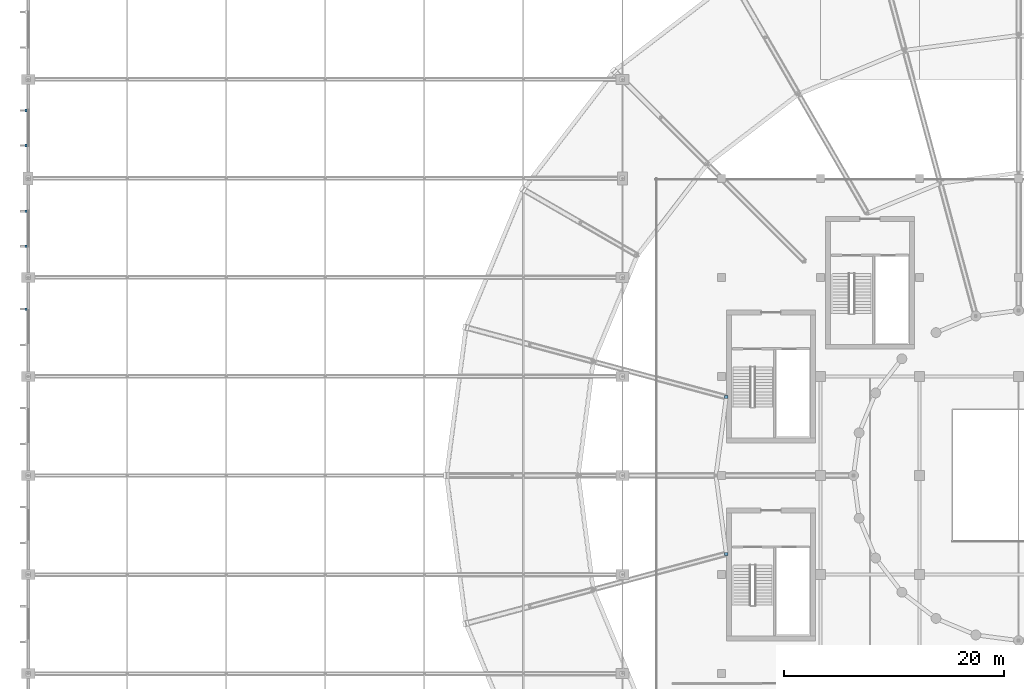
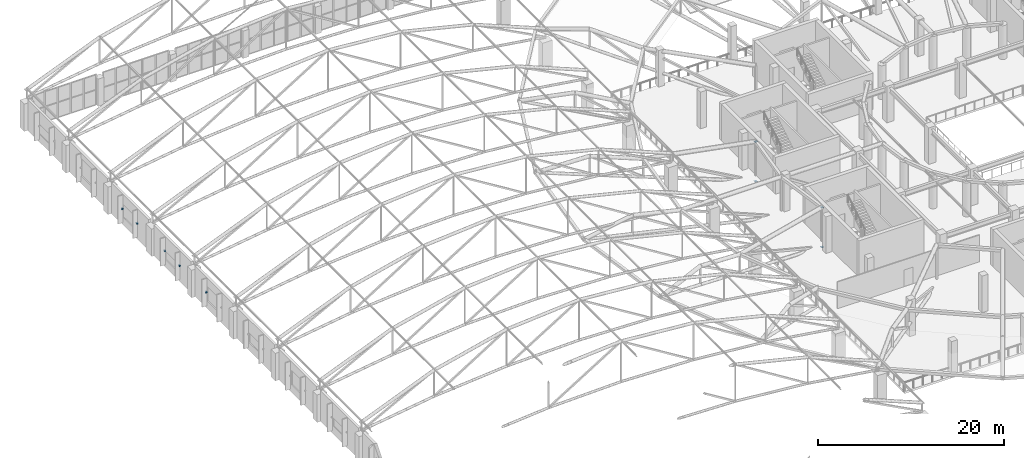
# One storey, part 147 of 167: 9 discrete accessories.
"""IFC4 building model written with IfcOpenShell, lengths in metres."""

from ifc_helpers import new_model, si_unit, direction, frame, origin, origin_2d, place, context, subcontext, project, spatial, rectangle, extrude, material, layer, layer_set, type_object, element, save


model = new_model("IFC4")

# Units and contexts
model_context = context("Model", 3, precision=1e-05, world=origin(), true_north=direction((0.0, 1.0)))
body_context = subcontext(model_context, "Body", "Model", "MODEL_VIEW")
ifc_project = project(units=[si_unit("LENGTHUNIT", "METRE"), si_unit("AREAUNIT", "SQUARE_METRE"), si_unit("VOLUMEUNIT", "CUBIC_METRE"), si_unit("PLANEANGLEUNIT", "RADIAN"), si_unit("MASSUNIT", "GRAM", prefix="KILO")], contexts=[model_context])

# Site, building, storey
site_placement = place(None, origin())
site = spatial("IfcSite", under=ifc_project, at=site_placement, CompositionType="ELEMENT")
building_placement = place(site_placement, origin())
building = spatial("IfcBuilding", under=site, at=building_placement, Name="Dornveld Trade and Exhibition Forum", CompositionType="ELEMENT")
storey_placement = place(building_placement, frame((0.0, 0.0, 16.800048828125)))
storey = spatial("IfcBuildingStorey", under=building, at=storey_placement, Name="L03", CompositionType="ELEMENT", Elevation=16.800048828125)

# Discrete accessories
ifc_material_1 = material(Name="Steel S355J2", Category="steel")
ifc_layer_1 = layer(ifc_material_1, 0.179931640625)
ifc_layer_set_1 = layer_set([ifc_layer_1], Name="Steel S355J2")
discrete_accessory_type_1 = type_object("IfcDiscreteAccessoryType", Name="ACC-BRK-STL", PredefinedType="BRACKET", material=ifc_layer_set_1)
for number, where, z_axis, x_axis, name in (
    (1, (26.804931640625, 96.1201171875, 2.02001953125), (0.0, 0.0, 1.0), (0.0, -1.0, 0.0), "L03 solar fin bracket 73"),
    (2, (26.804931640625, 105.01513671875, 2.02001953125), (0.0, 0.0, 1.0), (0.0, -1.0, 0.0), "L03 solar fin bracket 79"),
    (3, (26.804931640625, 101.834716796875, 2.02001953125), (0.0, 0.0, 1.0), (0.0, -1.0, 0.0), "L03 solar fin bracket 80"),
    (4, (26.804931640625, 114.165283203125, 2.02001953125), (0.0, 0.0, 1.0), (0.0, -1.0, 0.0), "L03 solar fin bracket 85"),
    (5, (26.804931640625, 110.98486328125, 2.02001953125), (0.0, 0.0, 1.0), (0.0, -1.0, 0.0), "L03 solar fin bracket 86"),
):
    element("IfcDiscreteAccessory", number, at=place(storey_placement, frame(where, z_axis=z_axis, x_axis=x_axis)), inside=storey, type_object=discrete_accessory_type_1, Name=name, PredefinedType="BRACKET", context=body_context, shape_type="SweptSolid", body=[
        extrude(rectangle(XDim=0.239990234375, YDim=0.199951171875, at=origin_2d()), origin(), (0.0, 0.0, 1.0), 0.179931640625),
    ])
ifc_material_2 = material(Name="Steel S355J2", Category="steel")
ifc_layer_2 = layer(ifc_material_2, 0.035888671875)
ifc_layer_set_2 = layer_set([ifc_layer_2], Name="Steel S355J2")
discrete_accessory_type_2 = type_object("IfcDiscreteAccessoryType", Name="ACC-CORE-EMB", PredefinedType="BRACKET", material=ifc_layer_set_2)
for number, where, z_axis, x_axis, name in (
    (6, (90.43701171875, 88.117431640625, 4.43212890625), (0.0, 0.0, 1.0), (1.0, 0.0, 0.0), "Core wall cast-in steel embed plate 9"),
    (7, (90.43701171875, 88.117431640625, -0.7802734375), (0.0, 0.0, 1.0), (1.0, 0.0, 0.0), "Core wall cast-in steel embed plate 10"),
    (8, (90.43701171875, 73.882568359375, 4.43212890625), (0.0, 0.0, 1.0), (1.0, 0.0, 0.0), "Core wall cast-in steel embed plate 11"),
    (9, (90.43701171875, 73.882568359375, -0.7802734375), (0.0, 0.0, 1.0), (1.0, 0.0, 0.0), "Core wall cast-in steel embed plate 12"),
):
    element("IfcDiscreteAccessory", number, at=place(storey_placement, frame(where, z_axis=z_axis, x_axis=x_axis)), inside=storey, type_object=discrete_accessory_type_2, Name=name, PredefinedType="BRACKET", context=body_context, shape_type="SweptSolid", body=[
        extrude(rectangle(XDim=0.280029296875, YDim=0.280029296875, at=origin_2d()), origin(), (0.0, 0.0, 1.0), 0.035888671875),
    ])

save(model, "model.ifc")
